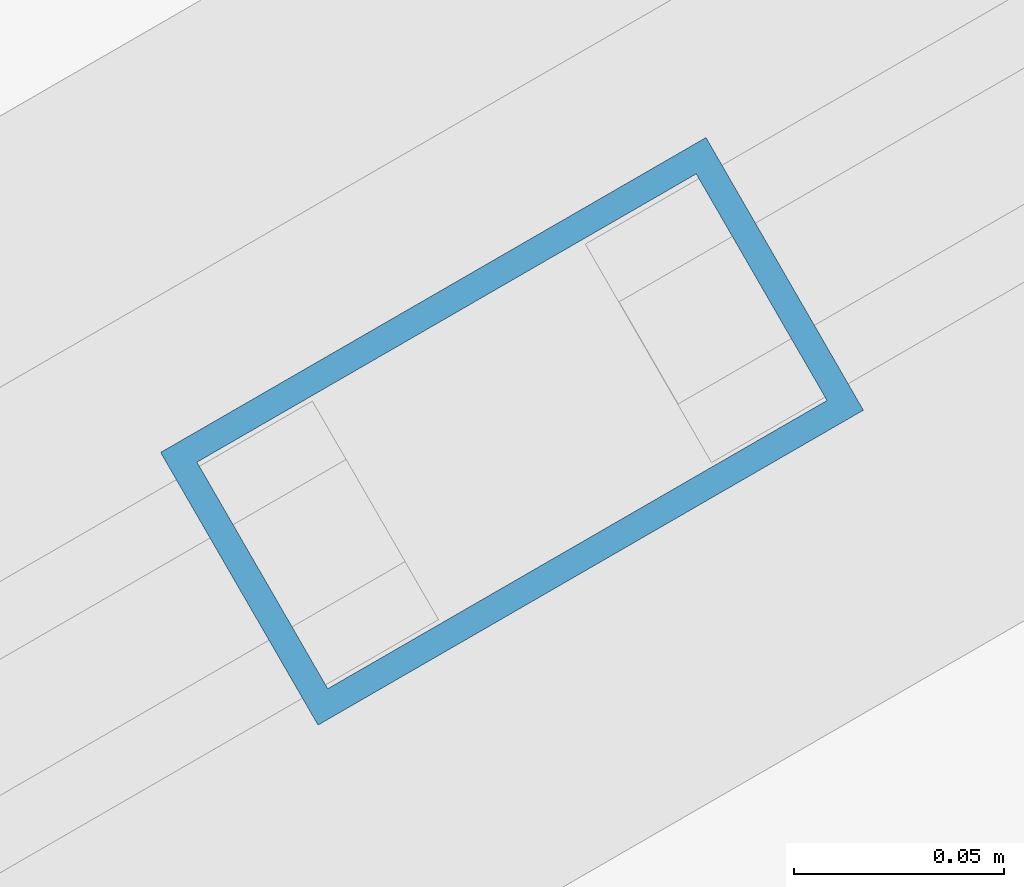
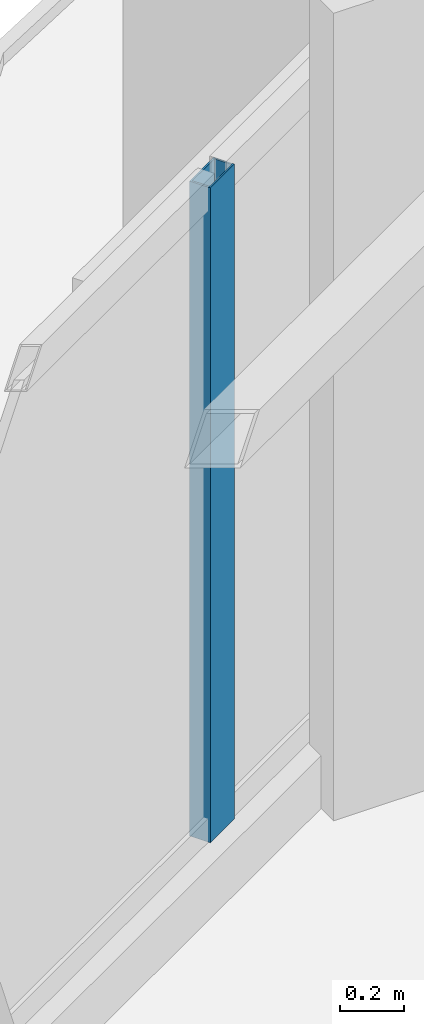
# One storey, part 10 of 22: 1 member, 1 element without a shape of its own.
"""IFC4 building model written with IfcOpenShell, lengths in metres."""

from ifc_helpers import new_model, si_unit, direction, frame, origin, origin_2d, place, context, subcontext, project, spatial, hollow_rectangle, extrude, material, layer, layer_set, material_profile, profile_set, type_object, element, aggregate, save


model = new_model("IFC4")

# Units and contexts
model_context = context("Model", 3, precision=1e-05, world=origin(), true_north=direction((0.0, 1.0)))
body_context = subcontext(model_context, "Body", "Model", "MODEL_VIEW")
ifc_project = project(units=[si_unit("LENGTHUNIT", "METRE"), si_unit("AREAUNIT", "SQUARE_METRE"), si_unit("VOLUMEUNIT", "CUBIC_METRE"), si_unit("PLANEANGLEUNIT", "RADIAN"), si_unit("MASSUNIT", "GRAM", prefix="KILO")], contexts=[model_context])

# Site, building, storey
site_placement = place(None, origin())
site = spatial("IfcSite", under=ifc_project, at=site_placement, CompositionType="ELEMENT")
building_placement = place(site_placement, origin())
building = spatial("IfcBuilding", under=site, at=building_placement, Name="Mersakhor Tower and Convention Hall", CompositionType="ELEMENT")
storey_placement = place(building_placement, frame((0.0, 0.0, 198.60009765625)))
storey = spatial("IfcBuildingStorey", under=building, at=storey_placement, Name="L55", CompositionType="ELEMENT", Elevation=198.60009765625)

# Curtain wall, member
ifc_material_1 = material(Name="Dark solar low-E aluminium curtain wall", Category="aluminium")
ifc_layer = layer(ifc_material_1, 0.169921875)
ifc_layer_set = layer_set([ifc_layer], Name="Dark solar low-E aluminium curtain wall")
curtain_wall_type = type_object("IfcCurtainWallType", Name="CW-SYS-02", PredefinedType="USERDEFINED", material=ifc_layer_set)
curtain_wall_placement = place(storey_placement, origin())
curtain_wall = element("IfcCurtainWall", 1, at=curtain_wall_placement, inside=storey, type_object=curtain_wall_type, Name="L55 Dark-Glass Curtain Wall F1-B2", ObjectType="CURTAIN WALL", PredefinedType="USERDEFINED")
ifc_material_2 = material(Name="Anodised aluminium EN AW-6063 T6", Category="aluminium")
ifc_material_profile = material_profile(ifc_material_2, hollow_rectangle(XDim=0.074951171875, YDim=0.14990234375, WallThickness=0.00634765625, at=origin_2d()), Name="RHS 150x75x6.3")
ifc_profile_set = profile_set([ifc_material_profile], Name="Anodised aluminium EN AW-6063 T6")
member_type = type_object("IfcMemberType", Name="CWM-150x75", PredefinedType="MULLION", material=ifc_profile_set)
member_placement = place(storey_placement, frame((24.504638671875, 37.535888671875, 0.199951171875), z_axis=(0.0, 0.0, 1.0), x_axis=(-0.500007824483, 0.86602088627, 0.0)))
member = element("IfcMember", 2, at=member_placement, type_object=member_type, Name="CW-02 mullion 3", PredefinedType="MULLION", context=body_context, shape_type="SweptSolid", body=[
    extrude(hollow_rectangle(XDim=0.074951171875, YDim=0.14990234375, WallThickness=0.00634765625, at=origin_2d()), origin(), (0.0, 0.0, 1.0), 2.489990234375),
])
aggregate(curtain_wall, [member])

save(model, "model.ifc")
